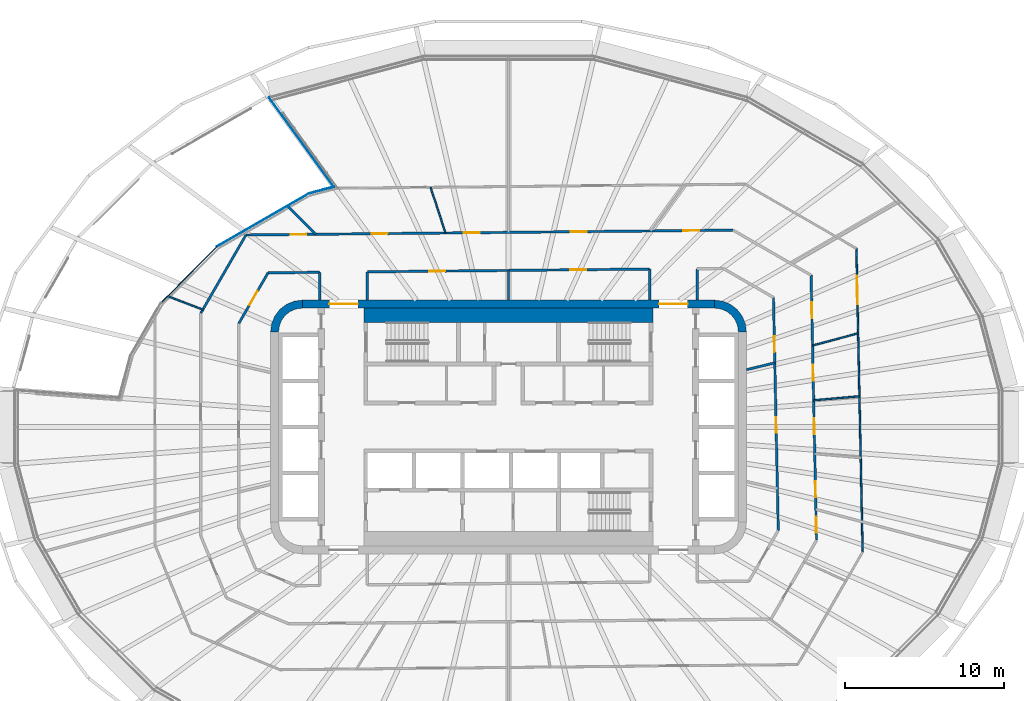
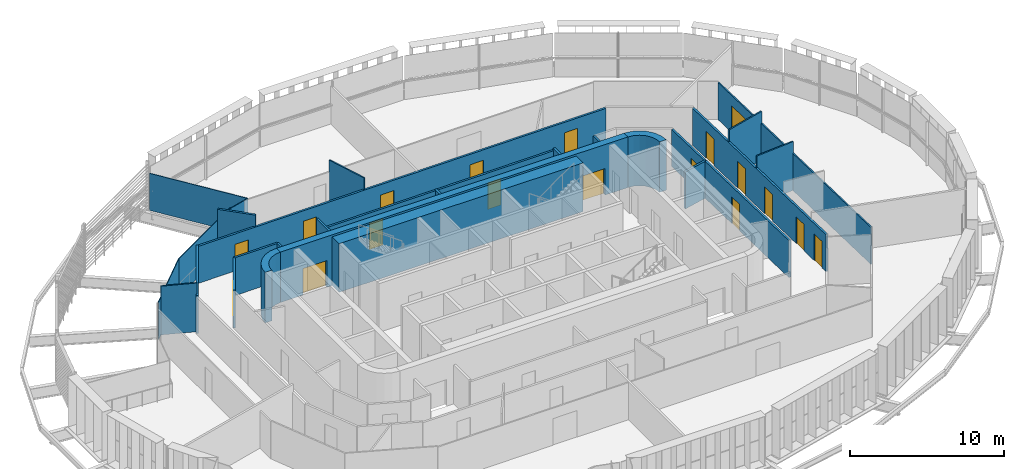
# One storey, part 14 of 23: 27 walls, 18 doors, 18 openings.
"""IFC4 building model written with IfcOpenShell, lengths in metres."""

from ifc_helpers import new_model, si_unit, direction, frame, frame_2d, origin, place, context, subcontext, project, spatial, polyline, rectangle, outline, extrude, material, layer, layer_set, type_object, element, fill, save


model = new_model("IFC4")

# Units and contexts
model_context = context("Model", 3, precision=1e-05, world=origin(), true_north=direction((0.0, 1.0)))
body_context = subcontext(model_context, "Body", "Model", "MODEL_VIEW")
ifc_project = project(units=[si_unit("LENGTHUNIT", "METRE"), si_unit("AREAUNIT", "SQUARE_METRE"), si_unit("VOLUMEUNIT", "CUBIC_METRE"), si_unit("PLANEANGLEUNIT", "RADIAN"), si_unit("MASSUNIT", "GRAM", prefix="KILO")], contexts=[model_context])

# Site, building, storey
site_placement = place(None, origin())
site = spatial("IfcSite", under=ifc_project, at=site_placement, CompositionType="ELEMENT")
building_placement = place(site_placement, origin())
building = spatial("IfcBuilding", under=site, at=building_placement, Name="Sahrelin Media Tower", CompositionType="ELEMENT")
storey_placement = place(building_placement, frame((0.0, 0.0, 173.60009765625)))
storey = spatial("IfcBuildingStorey", under=building, at=storey_placement, Name="L36", CompositionType="ELEMENT", Elevation=173.60009765625)

# Wall, openings, doors
ifc_material_1 = material(Name="Concrete C60/75", Category="concrete")
ifc_layer_1 = layer(ifc_material_1, 0.5)
ifc_layer_set_1 = layer_set([ifc_layer_1], Name="Core wall 500")
wall_type_1 = type_object("IfcWallType", Name="Core wall 500", PredefinedType="SHEAR", material=ifc_layer_set_1)
wall_1_placement = place(storey_placement, frame((-13.0, 7.75, 0.0), z_axis=(0.0, 0.0, 1.0), x_axis=(1.0, 0.0, 0.0)))
wall_1 = element("IfcWall", 1, at=wall_1_placement, inside=storey, type_object=wall_type_1, Name="Core wall N L36", PredefinedType="SHEAR", context=body_context, shape_type="SweptSolid", body=[
    extrude(rectangle(XDim=26.0, YDim=0.5, at=frame_2d((13.0, 0.0))), origin(), (0.0, 0.0, 1.0), 4.0),
])
opening_1_placement = place(wall_1_placement, frame((1.699951171875, 0.0, 0.0)))
opening_1 = element("IfcOpeningElement", 2, at=opening_1_placement, cuts=wall_1, Name="Opening L36-D19", PredefinedType="OPENING", context=body_context, shape_type="SweptSolid", body=[
    extrude(rectangle(XDim=1.800048828125, YDim=2.10009765625, at=frame_2d((0.89990234375, 1.050048828125))), frame((0.0, 0.25, 0.0), z_axis=(0.0, -1.0, 0.0), x_axis=(1.0, 0.0, 0.0)), (0.0, 0.0, 1.0), 0.5),
])
opening_2_placement = place(wall_1_placement, frame((22.5, 0.0, 0.0)))
opening_2 = element("IfcOpeningElement", 3, at=opening_2_placement, cuts=wall_1, Name="Opening L36-D20", PredefinedType="OPENING", context=body_context, shape_type="SweptSolid", body=[
    extrude(rectangle(XDim=1.800048828125, YDim=2.10009765625, at=frame_2d((0.89990234375, 1.050048828125))), frame((0.0, 0.25, 0.0), z_axis=(0.0, -1.0, 0.0), x_axis=(1.0, 0.0, 0.0)), (0.0, 0.0, 1.0), 0.5),
])
ifc_material_2 = material(Name="Steel fire door leaf", Category="steel")
door_type_1 = type_object("IfcDoorType", Name="Lobby double door 1800 x 2100 EI 60", OperationType="DOUBLE_DOOR_SINGLE_SWING", PredefinedType="DOOR", material=ifc_material_2)
door_1_placement = place(opening_1_placement, origin())
door_1 = element("IfcDoor", 4, at=door_1_placement, inside=storey, type_object=door_type_1, Name="Lobby door", OperationType="DOUBLE_DOOR_SINGLE_SWING", OverallHeight=2.10009765625, OverallWidth=1.800048828125, PredefinedType="DOOR", context=body_context, shape_type="SweptSolid", body=[
    extrude(rectangle(XDim=1.800048828125, YDim=2.10009765625, at=frame_2d((0.89990234375, 1.050048828125))), frame((0.0, 0.02490234375, 0.0), z_axis=(0.0, -1.0, 0.0), x_axis=(1.0, 0.0, 0.0)), (0.0, 0.0, 1.0), 0.050048828125),
])
fill(opening_1, door_1)
door_2_placement = place(opening_2_placement, origin())
door_2 = element("IfcDoor", 5, at=door_2_placement, inside=storey, type_object=door_type_1, Name="Lobby door", OperationType="DOUBLE_DOOR_SINGLE_SWING", OverallHeight=2.10009765625, OverallWidth=1.800048828125, PredefinedType="DOOR", context=body_context, shape_type="SweptSolid", body=[
    extrude(rectangle(XDim=1.800048828125, YDim=2.10009765625, at=frame_2d((0.89990234375, 1.050048828125))), frame((0.0, 0.02490234375, 0.0), z_axis=(0.0, -1.0, 0.0), x_axis=(1.0, 0.0, 0.0)), (0.0, 0.0, 1.0), 0.050048828125),
])
fill(opening_2, door_2)

# Walls
placement = place(storey_placement, origin())
element("IfcWall", 6, at=placement, inside=storey, type_object=wall_type_1, Name="Core wall corner NE L36", PredefinedType="SHEAR", context=body_context, shape_type="SweptSolid", body=[
    extrude(outline(polyline([(13.0, 8.0), (13.0, 7.49560546875), (13.38720703125, 7.44482421875), (13.747802734375, 7.29541015625), (14.0576171875, 7.0576171875), (14.29541015625, 6.747802734375), (14.44482421875, 6.38720703125), (14.49560546875, 6.0), (15.0, 6.0), (14.931884765625, 6.517578125), (14.732177734375, 7.0), (14.414306640625, 7.414306640625), (14.0, 7.732177734375), (13.517578125, 7.931884765625), (13.0, 8.0)])), origin(), (0.0, 0.0, 1.0), 4.0),
])
element("IfcWall", 7, at=placement, inside=storey, type_object=wall_type_1, Name="Core wall corner NW L36", PredefinedType="SHEAR", context=body_context, shape_type="SweptSolid", body=[
    extrude(outline(polyline([(-15.0, 6.0), (-14.49560546875, 6.0), (-14.44482421875, 6.38720703125), (-14.29541015625, 6.747802734375), (-14.0576171875, 7.0576171875), (-13.747802734375, 7.29541015625), (-13.38720703125, 7.44482421875), (-13.0, 7.49560546875), (-13.0, 8.0), (-13.517578125, 7.931884765625), (-14.0, 7.732177734375), (-14.414306640625, 7.414306640625), (-14.732177734375, 7.0), (-14.931884765625, 6.517578125), (-15.0, 6.0)])), origin(), (0.0, 0.0, 1.0), 4.0),
])

# Wall, openings, doors
ifc_material_3 = material(Name="Fire-rated gypsum board partition")
ifc_layer_2 = layer(ifc_material_3, 0.14990234375)
ifc_layer_set_2 = layer_set([ifc_layer_2], Name="Fire-rated partition 150")
wall_type_2 = type_object("IfcWallType", Name="Fire-rated partition 150", PredefinedType="PARTITIONING", material=ifc_layer_set_2)
wall_4_placement = place(storey_placement, frame((16.7080078125, 8.16796875, 0.0), z_axis=(0.0, 0.0, 1.0), x_axis=(0.020577520638, -0.999788260405, 0.0)))
wall_4 = element("IfcWall", 8, at=wall_4_placement, inside=storey, type_object=wall_type_2, Name="Wall", PredefinedType="PARTITIONING", context=body_context, shape_type="SweptSolid", body=[
    extrude(rectangle(XDim=14.688232421875, YDim=0.14990234375, at=frame_2d((7.34423828125, 0.0))), origin(), (0.0, 0.0, 1.0), 2.927001953125),
])
opening_3_placement = place(wall_4_placement, frame((7.540283203125, 0.0, 0.0)))
opening_3 = element("IfcOpeningElement", 9, at=opening_3_placement, cuts=wall_4, Name="Opening L36-D26", PredefinedType="OPENING", context=body_context, shape_type="SweptSolid", body=[
    extrude(rectangle(XDim=1.0, YDim=2.10009765625, at=frame_2d((0.5, 1.050048828125))), frame((0.0, 0.074951171875, 0.0), z_axis=(0.0, -1.0, 0.0), x_axis=(1.0, 0.0, 0.0)), (0.0, 0.0, 1.0), 0.14990234375),
])
opening_4_placement = place(wall_4_placement, frame((2.4404296875, 0.0, 0.0)))
opening_4 = element("IfcOpeningElement", 10, at=opening_4_placement, cuts=wall_4, Name="Opening L36-D27", PredefinedType="OPENING", context=body_context, shape_type="SweptSolid", body=[
    extrude(rectangle(XDim=1.0, YDim=2.10009765625, at=frame_2d((0.5, 1.050048828125))), frame((0.0, 0.074951171875, 0.0), z_axis=(0.0, -1.0, 0.0), x_axis=(1.0, 0.0, 0.0)), (0.0, 0.0, 1.0), 0.14990234375),
])
door_type_2 = type_object("IfcDoorType", Name="Fire door 1000 x 2100 EI 60", OperationType="NOTDEFINED", PredefinedType="DOOR", material=ifc_material_2)
door_3_placement = place(opening_3_placement, origin())
door_3 = element("IfcDoor", 11, at=door_3_placement, inside=storey, type_object=door_type_2, Name="Fire door", OperationType="SINGLE_SWING_LEFT", OverallHeight=2.10009765625, OverallWidth=1.0, PredefinedType="DOOR", context=body_context, shape_type="SweptSolid", body=[
    extrude(rectangle(XDim=1.0, YDim=2.10009765625, at=frame_2d((0.5, 1.050048828125))), frame((0.0, 0.02490234375, 0.0), z_axis=(0.0, -1.0, 0.0), x_axis=(1.0, 0.0, 0.0)), (0.0, 0.0, 1.0), 0.050048828125),
])
fill(opening_3, door_3)
door_4_placement = place(opening_4_placement, origin())
door_4 = element("IfcDoor", 12, at=door_4_placement, inside=storey, type_object=door_type_2, Name="Fire door", OperationType="SINGLE_SWING_LEFT", OverallHeight=2.10009765625, OverallWidth=1.0, PredefinedType="DOOR", context=body_context, shape_type="SweptSolid", body=[
    extrude(rectangle(XDim=1.0, YDim=2.10009765625, at=frame_2d((0.5, 1.050048828125))), frame((0.0, 0.02490234375, 0.0), z_axis=(0.0, -1.0, 0.0), x_axis=(1.0, 0.0, 0.0)), (0.0, 0.0, 1.0), 0.050048828125),
])
fill(opening_4, door_4)

wall_5_placement = place(storey_placement, frame((19.080078125, 9.570068359375, 0.0), z_axis=(0.0, 0.0, 1.0), x_axis=(0.020585419538, -0.9997880978, 0.0)))
wall_5 = element("IfcWall", 13, at=wall_5_placement, inside=storey, type_object=wall_type_2, Name="Wall", PredefinedType="PARTITIONING", context=body_context, shape_type="SweptSolid", body=[
    extrude(rectangle(XDim=16.710693359375, YDim=0.14990234375, at=frame_2d((8.35546875, 0.0))), origin(), (0.0, 0.0, 1.0), 2.927001953125),
])
opening_5_placement = place(wall_5_placement, frame((15.23876953125, 0.0, 0.0)))
opening_5 = element("IfcOpeningElement", 14, at=opening_5_placement, cuts=wall_5, Name="Opening L36-D40", PredefinedType="OPENING", context=body_context, shape_type="SweptSolid", body=[
    extrude(rectangle(XDim=1.0, YDim=2.10009765625, at=frame_2d((0.5, 1.050048828125))), frame((0.0, 0.074951171875, 0.0), z_axis=(0.0, -1.0, 0.0), x_axis=(1.0, 0.0, 0.0)), (0.0, 0.0, 1.0), 0.14990234375),
])
opening_6_placement = place(wall_5_placement, frame((12.99169921875, 0.0, 0.0)))
opening_6 = element("IfcOpeningElement", 15, at=opening_6_placement, cuts=wall_5, Name="Opening L36-D42", PredefinedType="OPENING", context=body_context, shape_type="SweptSolid", body=[
    extrude(rectangle(XDim=1.0, YDim=2.10009765625, at=frame_2d((0.5, 1.050048828125))), frame((0.0, 0.074951171875, 0.0), z_axis=(0.0, -1.0, 0.0), x_axis=(1.0, 0.0, 0.0)), (0.0, 0.0, 1.0), 0.14990234375),
])
opening_7_placement = place(wall_5_placement, frame((9.024169921875, 0.0, 0.0)))
opening_7 = element("IfcOpeningElement", 16, at=opening_7_placement, cuts=wall_5, Name="Opening L36-D43", PredefinedType="OPENING", context=body_context, shape_type="SweptSolid", body=[
    extrude(rectangle(XDim=1.0, YDim=2.10009765625, at=frame_2d((0.5, 1.050048828125))), frame((0.0, 0.074951171875, 0.0), z_axis=(0.0, -1.0, 0.0), x_axis=(1.0, 0.0, 0.0)), (0.0, 0.0, 1.0), 0.14990234375),
])
opening_8_placement = place(wall_5_placement, frame((5.660400390625, 0.0, 0.0)))
opening_8 = element("IfcOpeningElement", 17, at=opening_8_placement, cuts=wall_5, Name="Opening L36-D44", PredefinedType="OPENING", context=body_context, shape_type="SweptSolid", body=[
    extrude(rectangle(XDim=1.0, YDim=2.10009765625, at=frame_2d((0.5, 1.050048828125))), frame((0.0, 0.074951171875, 0.0), z_axis=(0.0, -1.0, 0.0), x_axis=(1.0, 0.0, 0.0)), (0.0, 0.0, 1.0), 0.14990234375),
])
opening_9_placement = place(wall_5_placement, frame((1.7158203125, 0.0, 0.0)))
opening_9 = element("IfcOpeningElement", 18, at=opening_9_placement, cuts=wall_5, Name="Opening L36-D45", PredefinedType="OPENING", context=body_context, shape_type="SweptSolid", body=[
    extrude(rectangle(XDim=1.0, YDim=2.10009765625, at=frame_2d((0.5, 1.050048828125))), frame((0.0, 0.074951171875, 0.0), z_axis=(0.0, -1.0, 0.0), x_axis=(1.0, 0.0, 0.0)), (0.0, 0.0, 1.0), 0.14990234375),
])
door_5_placement = place(opening_5_placement, origin())
door_5 = element("IfcDoor", 19, at=door_5_placement, inside=storey, type_object=door_type_2, Name="Fire door", OperationType="SINGLE_SWING_LEFT", OverallHeight=2.10009765625, OverallWidth=1.0, PredefinedType="DOOR", context=body_context, shape_type="SweptSolid", body=[
    extrude(rectangle(XDim=1.0, YDim=2.10009765625, at=frame_2d((0.5, 1.050048828125))), frame((0.0, 0.02490234375, 0.0), z_axis=(0.0, -1.0, 0.0), x_axis=(1.0, 0.0, 0.0)), (0.0, 0.0, 1.0), 0.050048828125),
])
fill(opening_5, door_5)
door_6_placement = place(opening_6_placement, origin())
door_6 = element("IfcDoor", 20, at=door_6_placement, inside=storey, type_object=door_type_2, Name="Fire door", OperationType="SINGLE_SWING_RIGHT", OverallHeight=2.10009765625, OverallWidth=1.0, PredefinedType="DOOR", context=body_context, shape_type="SweptSolid", body=[
    extrude(rectangle(XDim=1.0, YDim=2.10009765625, at=frame_2d((0.5, 1.050048828125))), frame((0.0, 0.02490234375, 0.0), z_axis=(0.0, -1.0, 0.0), x_axis=(1.0, 0.0, 0.0)), (0.0, 0.0, 1.0), 0.050048828125),
])
fill(opening_6, door_6)
door_7_placement = place(opening_7_placement, origin())
door_7 = element("IfcDoor", 21, at=door_7_placement, inside=storey, type_object=door_type_2, Name="Fire door", OperationType="SINGLE_SWING_RIGHT", OverallHeight=2.10009765625, OverallWidth=1.0, PredefinedType="DOOR", context=body_context, shape_type="SweptSolid", body=[
    extrude(rectangle(XDim=1.0, YDim=2.10009765625, at=frame_2d((0.5, 1.050048828125))), frame((0.0, 0.02490234375, 0.0), z_axis=(0.0, -1.0, 0.0), x_axis=(1.0, 0.0, 0.0)), (0.0, 0.0, 1.0), 0.050048828125),
])
fill(opening_7, door_7)
door_8_placement = place(opening_8_placement, origin())
door_8 = element("IfcDoor", 22, at=door_8_placement, inside=storey, type_object=door_type_2, Name="Fire door", OperationType="SINGLE_SWING_RIGHT", OverallHeight=2.10009765625, OverallWidth=1.0, PredefinedType="DOOR", context=body_context, shape_type="SweptSolid", body=[
    extrude(rectangle(XDim=1.0, YDim=2.10009765625, at=frame_2d((0.5, 1.050048828125))), frame((0.0, 0.02490234375, 0.0), z_axis=(0.0, -1.0, 0.0), x_axis=(1.0, 0.0, 0.0)), (0.0, 0.0, 1.0), 0.050048828125),
])
fill(opening_8, door_8)
door_9_placement = place(opening_9_placement, origin())
door_9 = element("IfcDoor", 23, at=door_9_placement, inside=storey, type_object=door_type_2, Name="Fire door", OperationType="SINGLE_SWING_LEFT", OverallHeight=2.10009765625, OverallWidth=1.0, PredefinedType="DOOR", context=body_context, shape_type="SweptSolid", body=[
    extrude(rectangle(XDim=1.0, YDim=2.10009765625, at=frame_2d((0.5, 1.050048828125))), frame((0.0, 0.02490234375, 0.0), z_axis=(0.0, -1.0, 0.0), x_axis=(1.0, 0.0, 0.0)), (0.0, 0.0, 1.0), 0.050048828125),
])
fill(opening_9, door_9)

# Walls
wall_6_placement = place(storey_placement, frame((-13.93994140625, 13.93994140625, 0.0), z_axis=(0.0, 0.0, 1.0), x_axis=(0.707106781187, -0.707106781187, 0.0)))
element("IfcWall", 24, at=wall_6_placement, inside=storey, type_object=wall_type_2, Name="Wall", PredefinedType="PARTITIONING", context=body_context, shape_type="SweptSolid", body=[
    extrude(rectangle(XDim=2.530029296875, YDim=0.14990234375, at=frame_2d((1.26513671875, 0.0))), origin(), (0.0, 0.0, 1.0), 3.849853515625),
])
wall_7_placement = place(storey_placement, frame((-15.160888671875, 9.720947265625, 0.0), z_axis=(0.0, 0.0, 1.0), x_axis=(0.999950429518, 0.009956832157, 0.0)))
element("IfcWall", 25, at=wall_7_placement, inside=storey, type_object=wall_type_2, Name="Wall", PredefinedType="PARTITIONING", context=body_context, shape_type="SweptSolid", body=[
    extrude(rectangle(XDim=3.26123046875, YDim=0.14990234375, at=frame_2d((1.630615234375, 0.0))), origin(), (0.0, 0.0, 1.0), 2.994873046875),
])

# Wall, openings, doors
wall_8_placement = place(storey_placement, frame((-8.89990234375, 9.782958984375, 0.0), z_axis=(0.0, 0.0, 1.0), x_axis=(0.999950834077, 0.009916119672, 0.0)))
wall_8 = element("IfcWall", 26, at=wall_8_placement, inside=storey, type_object=wall_type_2, Name="Wall", PredefinedType="PARTITIONING", context=body_context, shape_type="SweptSolid", body=[
    extrude(rectangle(XDim=17.80078125, YDim=0.14990234375, at=frame_2d((8.900390625, 0.0))), origin(), (0.0, 0.0, 1.0), 2.927001953125),
])
opening_10_placement = place(wall_8_placement, frame((12.80029296875, 0.0, 0.0)))
opening_10 = element("IfcOpeningElement", 27, at=opening_10_placement, cuts=wall_8, Name="Opening L36-D28", PredefinedType="OPENING", context=body_context, shape_type="SweptSolid", body=[
    extrude(rectangle(XDim=1.0, YDim=2.10009765625, at=frame_2d((0.5, 1.050048828125))), frame((0.0, 0.074951171875, 0.0), z_axis=(0.0, -1.0, 0.0), x_axis=(1.0, 0.0, 0.0)), (0.0, 0.0, 1.0), 0.14990234375),
])
opening_11_placement = place(wall_8_placement, frame((3.8994140625, 0.0, 0.0)))
opening_11 = element("IfcOpeningElement", 28, at=opening_11_placement, cuts=wall_8, Name="Opening L36-D29", PredefinedType="OPENING", context=body_context, shape_type="SweptSolid", body=[
    extrude(rectangle(XDim=1.0, YDim=2.10009765625, at=frame_2d((0.5, 1.050048828125))), frame((0.0, 0.074951171875, 0.0), z_axis=(0.0, -1.0, 0.0), x_axis=(1.0, 0.0, 0.0)), (0.0, 0.0, 1.0), 0.14990234375),
])
door_10_placement = place(opening_10_placement, origin())
door_10 = element("IfcDoor", 29, at=door_10_placement, inside=storey, type_object=door_type_2, Name="Fire door", OperationType="SINGLE_SWING_LEFT", OverallHeight=2.10009765625, OverallWidth=1.0, PredefinedType="DOOR", context=body_context, shape_type="SweptSolid", body=[
    extrude(rectangle(XDim=1.0, YDim=2.10009765625, at=frame_2d((0.5, 1.050048828125))), frame((0.0, 0.02490234375, 0.0), z_axis=(0.0, -1.0, 0.0), x_axis=(1.0, 0.0, 0.0)), (0.0, 0.0, 1.0), 0.050048828125),
])
fill(opening_10, door_10)
door_11_placement = place(opening_11_placement, origin())
door_11 = element("IfcDoor", 30, at=door_11_placement, inside=storey, type_object=door_type_2, Name="Fire door", OperationType="SINGLE_SWING_RIGHT", OverallHeight=2.10009765625, OverallWidth=1.0, PredefinedType="DOOR", context=body_context, shape_type="SweptSolid", body=[
    extrude(rectangle(XDim=1.0, YDim=2.10009765625, at=frame_2d((0.5, 1.050048828125))), frame((0.0, 0.02490234375, 0.0), z_axis=(0.0, -1.0, 0.0), x_axis=(1.0, 0.0, 0.0)), (0.0, 0.0, 1.0), 0.050048828125),
])
fill(opening_11, door_11)

wall_9_placement = place(storey_placement, frame((-16.554931640625, 12.107177734375, 0.0), z_axis=(0.0, 0.0, 1.0), x_axis=(0.999950956073, 0.009903809825, 0.0)))
wall_9 = element("IfcWall", 31, at=wall_9_placement, inside=storey, type_object=wall_type_2, Name="Wall", PredefinedType="PARTITIONING", context=body_context, shape_type="SweptSolid", body=[
    extrude(rectangle(XDim=30.71533203125, YDim=0.14990234375, at=frame_2d((15.357666015625, 0.0))), origin(), (0.0, 0.0, 1.0), 2.927001953125),
])
opening_12_placement = place(wall_9_placement, frame((27.574951171875, 0.0, 0.0)))
opening_12 = element("IfcOpeningElement", 32, at=opening_12_placement, cuts=wall_9, Name="Opening L36-D47", PredefinedType="OPENING", context=body_context, shape_type="SweptSolid", body=[
    extrude(rectangle(XDim=1.0, YDim=2.10009765625, at=frame_2d((0.5, 1.050048828125))), frame((0.0, 0.074951171875, 0.0), z_axis=(0.0, -1.0, 0.0), x_axis=(1.0, 0.0, 0.0)), (0.0, 0.0, 1.0), 0.14990234375),
])
opening_13_placement = place(wall_9_placement, frame((20.49609375, 0.0, 0.0)))
opening_13 = element("IfcOpeningElement", 33, at=opening_13_placement, cuts=wall_9, Name="Opening L36-D48", PredefinedType="OPENING", context=body_context, shape_type="SweptSolid", body=[
    extrude(rectangle(XDim=1.0, YDim=2.10009765625, at=frame_2d((0.5, 1.050048828125))), frame((0.0, 0.074951171875, 0.0), z_axis=(0.0, -1.0, 0.0), x_axis=(1.0, 0.0, 0.0)), (0.0, 0.0, 1.0), 0.14990234375),
])
opening_14_placement = place(wall_9_placement, frame((13.74609375, 0.0, 0.0)))
opening_14 = element("IfcOpeningElement", 34, at=opening_14_placement, cuts=wall_9, Name="Opening L36-D50", PredefinedType="OPENING", context=body_context, shape_type="SweptSolid", body=[
    extrude(rectangle(XDim=1.0, YDim=2.10009765625, at=frame_2d((0.5, 1.050048828125))), frame((0.0, 0.074951171875, 0.0), z_axis=(0.0, -1.0, 0.0), x_axis=(1.0, 0.0, 0.0)), (0.0, 0.0, 1.0), 0.14990234375),
])
opening_15_placement = place(wall_9_placement, frame((7.941162109375, 0.0, 0.0)))
opening_15 = element("IfcOpeningElement", 35, at=opening_15_placement, cuts=wall_9, Name="Opening L36-D51", PredefinedType="OPENING", context=body_context, shape_type="SweptSolid", body=[
    extrude(rectangle(XDim=1.0, YDim=2.10009765625, at=frame_2d((0.5, 1.050048828125))), frame((0.0, 0.074951171875, 0.0), z_axis=(0.0, -1.0, 0.0), x_axis=(1.0, 0.0, 0.0)), (0.0, 0.0, 1.0), 0.14990234375),
])
opening_16_placement = place(wall_9_placement, frame((2.8115234375, 0.0, 0.0)))
opening_16 = element("IfcOpeningElement", 36, at=opening_16_placement, cuts=wall_9, Name="Opening L36-D53", PredefinedType="OPENING", context=body_context, shape_type="SweptSolid", body=[
    extrude(rectangle(XDim=1.0, YDim=2.10009765625, at=frame_2d((0.5, 1.050048828125))), frame((0.0, 0.074951171875, 0.0), z_axis=(0.0, -1.0, 0.0), x_axis=(1.0, 0.0, 0.0)), (0.0, 0.0, 1.0), 0.14990234375),
])
door_12_placement = place(opening_12_placement, origin())
door_12 = element("IfcDoor", 37, at=door_12_placement, inside=storey, type_object=door_type_2, Name="Fire door", OperationType="SINGLE_SWING_LEFT", OverallHeight=2.10009765625, OverallWidth=1.0, PredefinedType="DOOR", context=body_context, shape_type="SweptSolid", body=[
    extrude(rectangle(XDim=1.0, YDim=2.10009765625, at=frame_2d((0.5, 1.050048828125))), frame((0.0, 0.02490234375, 0.0), z_axis=(0.0, -1.0, 0.0), x_axis=(1.0, 0.0, 0.0)), (0.0, 0.0, 1.0), 0.050048828125),
])
fill(opening_12, door_12)
door_13_placement = place(opening_13_placement, origin())
door_13 = element("IfcDoor", 38, at=door_13_placement, inside=storey, type_object=door_type_2, Name="Fire door", OperationType="SINGLE_SWING_LEFT", OverallHeight=2.10009765625, OverallWidth=1.0, PredefinedType="DOOR", context=body_context, shape_type="SweptSolid", body=[
    extrude(rectangle(XDim=1.0, YDim=2.10009765625, at=frame_2d((0.5, 1.050048828125))), frame((0.0, 0.02490234375, 0.0), z_axis=(0.0, -1.0, 0.0), x_axis=(1.0, 0.0, 0.0)), (0.0, 0.0, 1.0), 0.050048828125),
])
fill(opening_13, door_13)
door_14_placement = place(opening_14_placement, origin())
door_14 = element("IfcDoor", 39, at=door_14_placement, inside=storey, type_object=door_type_2, Name="Fire door", OperationType="SINGLE_SWING_LEFT", OverallHeight=2.10009765625, OverallWidth=1.0, PredefinedType="DOOR", context=body_context, shape_type="SweptSolid", body=[
    extrude(rectangle(XDim=1.0, YDim=2.10009765625, at=frame_2d((0.5, 1.050048828125))), frame((0.0, 0.02490234375, 0.0), z_axis=(0.0, -1.0, 0.0), x_axis=(1.0, 0.0, 0.0)), (0.0, 0.0, 1.0), 0.050048828125),
])
fill(opening_14, door_14)
door_15_placement = place(opening_15_placement, origin())
door_15 = element("IfcDoor", 40, at=door_15_placement, inside=storey, type_object=door_type_2, Name="Fire door", OperationType="SINGLE_SWING_RIGHT", OverallHeight=2.10009765625, OverallWidth=1.0, PredefinedType="DOOR", context=body_context, shape_type="SweptSolid", body=[
    extrude(rectangle(XDim=1.0, YDim=2.10009765625, at=frame_2d((0.5, 1.050048828125))), frame((0.0, 0.02490234375, 0.0), z_axis=(0.0, -1.0, 0.0), x_axis=(1.0, 0.0, 0.0)), (0.0, 0.0, 1.0), 0.050048828125),
])
fill(opening_15, door_15)
door_16_placement = place(opening_16_placement, origin())
door_16 = element("IfcDoor", 41, at=door_16_placement, inside=storey, type_object=door_type_2, Name="Fire door", OperationType="SINGLE_SWING_RIGHT", OverallHeight=2.10009765625, OverallWidth=1.0, PredefinedType="DOOR", context=body_context, shape_type="SweptSolid", body=[
    extrude(rectangle(XDim=1.0, YDim=2.10009765625, at=frame_2d((0.5, 1.050048828125))), frame((0.0, 0.02490234375, 0.0), z_axis=(0.0, -1.0, 0.0), x_axis=(1.0, 0.0, 0.0)), (0.0, 0.0, 1.0), 0.050048828125),
])
fill(opening_16, door_16)

# Wall
wall_10_placement = place(storey_placement, frame((15.0, 3.612060546875, 0.0), z_axis=(0.0, 0.0, 1.0), x_axis=(0.972133200519, 0.234429180027, 0.0)))
element("IfcWall", 42, at=wall_10_placement, inside=storey, type_object=wall_type_2, Name="Wall", PredefinedType="PARTITIONING", context=body_context, shape_type="SweptSolid", body=[
    extrude(rectangle(XDim=1.844482421875, YDim=0.14990234375, at=frame_2d((0.92236328125, 0.0))), origin(), (0.0, 0.0, 1.0), 2.927001953125),
])

# Wall, opening, door
wall_11_placement = place(storey_placement, frame((-17.0, 6.535888671875, 0.0), z_axis=(0.0, 0.0, 1.0), x_axis=(0.500251054866, 0.865880408662, 0.0)))
wall_11 = element("IfcWall", 43, at=wall_11_placement, inside=storey, type_object=wall_type_2, Name="Wall", PredefinedType="PARTITIONING", context=body_context, shape_type="SweptSolid", body=[
    extrude(rectangle(XDim=3.677734375, YDim=0.14990234375, at=frame_2d((1.8388671875, 0.0))), origin(), (0.0, 0.0, 1.0), 2.994873046875),
])
opening_17_placement = place(wall_11_placement, frame((1.34375, 0.0, 0.0)))
opening_17 = element("IfcOpeningElement", 44, at=opening_17_placement, cuts=wall_11, Name="Opening L36-D30", PredefinedType="OPENING", context=body_context, shape_type="SweptSolid", body=[
    extrude(rectangle(XDim=1.0, YDim=2.10009765625, at=frame_2d((0.5, 1.050048828125))), frame((0.0, 0.074951171875, 0.0), z_axis=(0.0, -1.0, 0.0), x_axis=(1.0, 0.0, 0.0)), (0.0, 0.0, 1.0), 0.14990234375),
])
door_17_placement = place(opening_17_placement, origin())
door_17 = element("IfcDoor", 45, at=door_17_placement, inside=storey, type_object=door_type_2, Name="Fire door", OperationType="SINGLE_SWING_RIGHT", OverallHeight=2.10009765625, OverallWidth=1.0, PredefinedType="DOOR", context=body_context, shape_type="SweptSolid", body=[
    extrude(rectangle(XDim=1.0, YDim=2.10009765625, at=frame_2d((0.5, 1.050048828125))), frame((0.0, 0.02490234375, 0.0), z_axis=(0.0, -1.0, 0.0), x_axis=(1.0, 0.0, 0.0)), (0.0, 0.0, 1.0), 0.050048828125),
])
fill(opening_17, door_17)

# Walls
wall_12_placement = place(storey_placement, frame((-19.39990234375, 7.178955078125, 0.0), z_axis=(0.0, 0.0, 1.0), x_axis=(0.500222556585, 0.865896872545, 0.0)))
element("IfcWall", 46, at=wall_12_placement, inside=storey, type_object=wall_type_2, Name="Wall", PredefinedType="PARTITIONING", context=body_context, shape_type="SweptSolid", body=[
    extrude(rectangle(XDim=5.6904296875, YDim=0.14990234375, at=frame_2d((2.84521484375, 0.0))), origin(), (0.0, 0.0, 1.0), 2.994873046875),
])
wall_13_placement = place(storey_placement, frame((11.89990234375, 8.0, 0.0), z_axis=(0.0, 0.0, 1.0), x_axis=(0.0, 1.0, 0.0)))
element("IfcWall", 47, at=wall_13_placement, inside=storey, type_object=wall_type_2, Name="Wall", PredefinedType="PARTITIONING", context=body_context, shape_type="SweptSolid", body=[
    extrude(rectangle(XDim=1.97802734375, YDim=0.14990234375, at=frame_2d((0.989013671875, 0.0))), origin(), (0.0, 0.0, 1.0), 2.994873046875),
])
wall_14_placement = place(storey_placement, frame((8.89990234375, 8.0, 0.0), z_axis=(0.0, 0.0, 1.0), x_axis=(0.0, 1.0, 0.0)))
element("IfcWall", 48, at=wall_14_placement, inside=storey, type_object=wall_type_2, Name="Wall", PredefinedType="PARTITIONING", context=body_context, shape_type="SweptSolid", body=[
    extrude(rectangle(XDim=1.958984375, YDim=0.14990234375, at=frame_2d((0.9794921875, 0.0))), origin(), (0.0, 0.0, 1.0), 3.075927734375),
])
wall_15_placement = place(storey_placement, frame((0.0, 8.0, 0.0), z_axis=(0.0, 0.0, 1.0), x_axis=(0.0, 1.0, 0.0)))
element("IfcWall", 49, at=wall_15_placement, inside=storey, type_object=wall_type_2, Name="Wall", PredefinedType="PARTITIONING", context=body_context, shape_type="SweptSolid", body=[
    extrude(rectangle(XDim=1.87109375, YDim=0.14990234375, at=frame_2d((0.935546875, 0.0))), origin(), (0.0, 0.0, 1.0), 2.994873046875),
])
wall_16_placement = place(storey_placement, frame((-8.89990234375, 8.0, 0.0), z_axis=(0.0, 0.0, 1.0), x_axis=(0.0, 1.0, 0.0)))
element("IfcWall", 50, at=wall_16_placement, inside=storey, type_object=wall_type_2, Name="Wall", PredefinedType="PARTITIONING", context=body_context, shape_type="SweptSolid", body=[
    extrude(rectangle(XDim=1.782958984375, YDim=0.14990234375, at=frame_2d((0.8916015625, 0.0))), origin(), (0.0, 0.0, 1.0), 3.849853515625),
])
wall_17_placement = place(storey_placement, frame((-11.89990234375, 8.0, 0.0), z_axis=(0.0, 0.0, 1.0), x_axis=(0.0, 1.0, 0.0)))
element("IfcWall", 51, at=wall_17_placement, inside=storey, type_object=wall_type_2, Name="Wall", PredefinedType="PARTITIONING", context=body_context, shape_type="SweptSolid", body=[
    extrude(rectangle(XDim=1.7529296875, YDim=0.14990234375, at=frame_2d((0.87646484375, 0.0))), origin(), (0.0, 0.0, 1.0), 2.994873046875),
])
ifc_material_4 = material(Name="Clear glass", Category="glass")
ifc_layer_3 = layer(ifc_material_4, 0.050048828125)
ifc_layer_set_3 = layer_set([ifc_layer_3], Name="Glazed partition 50")
wall_type_3 = type_object("IfcWallType", Name="Glazed partition 50", PredefinedType="PARTITIONING", material=ifc_layer_set_3)
wall_18_placement = place(storey_placement, frame((-15.10009765625, 20.77587890625, 0.0), z_axis=(0.0, 0.0, 1.0), x_axis=(0.587927764286, -0.808913434171, 0.0)))
element("IfcWall", 52, at=wall_18_placement, inside=storey, type_object=wall_type_3, Name="Wall", PredefinedType="PARTITIONING", context=body_context, shape_type="SweptSolid", body=[
    extrude(rectangle(XDim=6.96337890625, YDim=0.050048828125, at=frame_2d((3.481689453125, 0.0))), origin(), (0.0, 0.0, 1.0), 2.927001953125),
])
wall_19_placement = place(storey_placement, frame((-12.591064453125, 14.718994140625, 0.0), z_axis=(0.0, 0.0, 1.0), x_axis=(0.965982574514, 0.258607164896, 0.0)))
element("IfcWall", 53, at=wall_19_placement, inside=storey, type_object=wall_type_3, Name="Wall", PredefinedType="PARTITIONING", context=body_context, shape_type="SweptSolid", body=[
    extrude(rectangle(XDim=1.640869140625, YDim=0.050048828125, at=frame_2d((0.8203125, 0.0))), origin(), (0.0, 0.0, 1.0), 2.927001953125),
])
wall_20_placement = place(storey_placement, frame((-18.37109375, 11.382080078125, 0.0), z_axis=(0.0, 0.0, 1.0), x_axis=(0.866021723044, 0.500006375176, 0.0)))
element("IfcWall", 54, at=wall_20_placement, inside=storey, type_object=wall_type_3, Name="Wall", PredefinedType="PARTITIONING", context=body_context, shape_type="SweptSolid", body=[
    extrude(rectangle(XDim=6.67431640625, YDim=0.050048828125, at=frame_2d((3.337158203125, 0.0))), origin(), (0.0, 0.0, 1.0), 2.994873046875),
])
wall_21_placement = place(storey_placement, frame((-21.9189453125, 7.833984375, 0.0), z_axis=(0.0, 0.0, 1.0), x_axis=(0.707082452305, 0.707131109231, 0.0)))
element("IfcWall", 55, at=wall_21_placement, inside=storey, type_object=wall_type_3, Name="Wall", PredefinedType="PARTITIONING", context=body_context, shape_type="SweptSolid", body=[
    extrude(rectangle(XDim=5.017578125, YDim=0.050048828125, at=frame_2d((2.5087890625, 0.0))), origin(), (0.0, 0.0, 1.0), 2.994873046875),
])

# Wall, opening, door
ifc_material_5 = material(Name="Gypsum board partition")
ifc_layer_4 = layer(ifc_material_5, 0.10009765625)
ifc_layer_set_4 = layer_set([ifc_layer_4], Name="Partition 100")
wall_type_4 = type_object("IfcWallType", Name="Partition 100", PredefinedType="PARTITIONING", material=ifc_layer_set_4)
wall_22_placement = place(storey_placement, frame((21.93603515625, 11.258056640625, 0.0), z_axis=(0.0, 0.0, 1.0), x_axis=(0.020580799217, -0.999788192921, 0.0)))
wall_22 = element("IfcWall", 56, at=wall_22_placement, inside=storey, type_object=wall_type_4, Name="Wall", PredefinedType="PARTITIONING", context=body_context, shape_type="SweptSolid", body=[
    extrude(rectangle(XDim=19.146240234375, YDim=0.10009765625, at=frame_2d((9.5732421875, 0.0))), origin(), (0.0, 0.0, 1.0), 2.927001953125),
])
opening_18_placement = place(wall_22_placement, frame((1.72412109375, 0.0, 0.0)))
opening_18 = element("IfcOpeningElement", 57, at=opening_18_placement, cuts=wall_22, Name="Opening L36-D46", PredefinedType="OPENING", context=body_context, shape_type="SweptSolid", body=[
    extrude(rectangle(XDim=1.800048828125, YDim=2.10009765625, at=frame_2d((0.89990234375, 1.050048828125))), frame((0.0, 0.050048828125, 0.0), z_axis=(0.0, -1.0, 0.0), x_axis=(1.0, 0.0, 0.0)), (0.0, 0.0, 1.0), 0.10009765625),
])
ifc_material_6 = material(Name="Timber door leaf", Category="wood")
door_type_3 = type_object("IfcDoorType", Name="Double door 1800 x 2100", OperationType="DOUBLE_DOOR_SINGLE_SWING", PredefinedType="DOOR", material=ifc_material_6)
door_18_placement = place(opening_18_placement, origin())
door_18 = element("IfcDoor", 58, at=door_18_placement, inside=storey, type_object=door_type_3, Name="Double door", OperationType="DOUBLE_DOOR_SINGLE_SWING", OverallHeight=2.10009765625, OverallWidth=1.800048828125, PredefinedType="DOOR", context=body_context, shape_type="SweptSolid", body=[
    extrude(rectangle(XDim=1.800048828125, YDim=2.10009765625, at=frame_2d((0.89990234375, 1.050048828125))), frame((0.0, 0.02490234375, 0.0), z_axis=(0.0, -1.0, 0.0), x_axis=(1.0, 0.0, 0.0)), (0.0, 0.0, 1.0), 0.050048828125),
])
fill(opening_18, door_18)

# Walls
wall_23_placement = place(storey_placement, frame((-4.909912109375, 15.112060546875, 0.0), z_axis=(0.0, 0.0, 1.0), x_axis=(0.30901133164, -0.951058356211, 0.0)))
element("IfcWall", 59, at=wall_23_placement, inside=storey, type_object=wall_type_4, Name="Wall", PredefinedType="PARTITIONING", context=body_context, shape_type="SweptSolid", body=[
    extrude(rectangle(XDim=3.0283203125, YDim=0.10009765625, at=frame_2d((1.51416015625, 0.0))), origin(), (0.0, 0.0, 1.0), 3.849853515625),
])
wall_24_placement = place(storey_placement, frame((-21.5, 8.2529296875, 0.0), z_axis=(0.0, 0.0, 1.0), x_axis=(0.933566994355, -0.358402939512, 0.0)))
element("IfcWall", 60, at=wall_24_placement, inside=storey, type_object=wall_type_4, Name="Wall", PredefinedType="PARTITIONING", context=body_context, shape_type="SweptSolid", body=[
    extrude(rectangle(XDim=2.385498046875, YDim=0.10009765625, at=frame_2d((1.19287109375, 0.0))), origin(), (0.0, 0.0, 1.0), 3.849853515625),
])
wall_25_placement = place(storey_placement, frame((19.241943359375, 1.68408203125, 0.0), z_axis=(0.0, 0.0, 1.0), x_axis=(0.99621080415, 0.086971453336, 0.0)))
element("IfcWall", 61, at=wall_25_placement, inside=storey, type_object=wall_type_4, Name="Wall", PredefinedType="PARTITIONING", context=body_context, shape_type="SweptSolid", body=[
    extrude(rectangle(XDim=2.89697265625, YDim=0.10009765625, at=frame_2d((1.448486328125, 0.0))), origin(), (0.0, 0.0, 1.0), 3.849853515625),
])
wall_26_placement = place(storey_placement, frame((19.1708984375, 5.136962890625, 0.0), z_axis=(0.0, 0.0, 1.0), x_axis=(0.965953908608, 0.25871421771, 0.0)))
element("IfcWall", 62, at=wall_26_placement, inside=storey, type_object=wall_type_4, Name="Wall", PredefinedType="PARTITIONING", context=body_context, shape_type="SweptSolid", body=[
    extrude(rectangle(XDim=2.976318359375, YDim=0.10009765625, at=frame_2d((1.48828125, 0.0))), origin(), (0.0, 0.0, 1.0), 3.849853515625),
])
ifc_layer_5 = layer(ifc_material_1, 0.89990234375)
ifc_layer_set_5 = layer_set([ifc_layer_5], Name="Stair enclosure wall 900")
wall_type_5 = type_object("IfcWallType", Name="Stair enclosure wall 900", PredefinedType="SOLIDWALL", material=ifc_layer_set_5)
wall_27_placement = place(storey_placement, frame((-9.125, 7.050048828125, 0.0), z_axis=(0.0, 0.0, 1.0), x_axis=(1.0, 0.0, 0.0)))
element("IfcWall", 63, at=wall_27_placement, inside=storey, type_object=wall_type_5, Name="Stair enclosure wall", PredefinedType="SOLIDWALL", context=body_context, shape_type="SweptSolid", body=[
    extrude(rectangle(XDim=18.25, YDim=0.89990234375, at=frame_2d((9.125, 0.0))), origin(), (0.0, 0.0, 1.0), 3.849853515625),
])

save(model, "model.ifc")
